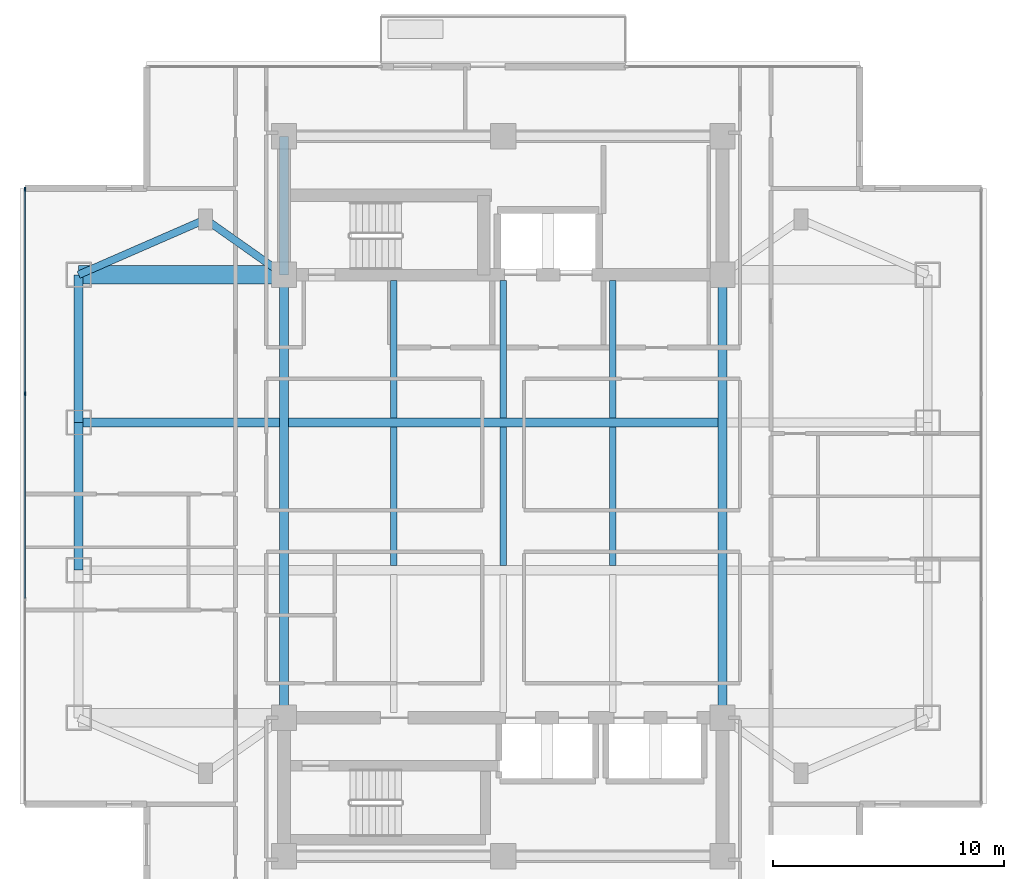
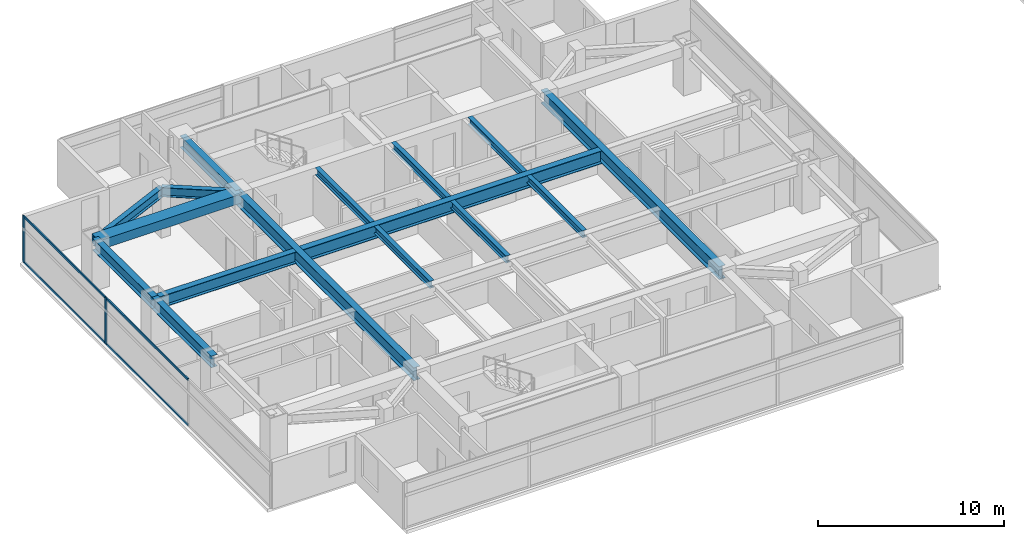
# One storey, part 3 of 26: 16 beams, 6 members, 1 element without a shape of its own.
"""IFC4 building model written with IfcOpenShell, lengths in metres."""

from ifc_helpers import new_model, si_unit, direction, frame, origin, origin_2d, place, context, subcontext, project, spatial, rectangle, i_section, extrude, material, material_profile, profile_set, type_object, element, aggregate, save


model = new_model("IFC4")

# Units and contexts
model_context = context("Model", 3, precision=1e-05, world=origin(), true_north=direction((0.0, 1.0)))
body_context = subcontext(model_context, "Body", "Model", "MODEL_VIEW")
ifc_project = project(units=[si_unit("LENGTHUNIT", "METRE"), si_unit("AREAUNIT", "SQUARE_METRE"), si_unit("VOLUMEUNIT", "CUBIC_METRE"), si_unit("PLANEANGLEUNIT", "RADIAN"), si_unit("MASSUNIT", "GRAM", prefix="KILO")], contexts=[model_context])

# Site, building, storey
site_placement = place(None, origin())
site = spatial("IfcSite", under=ifc_project, at=site_placement, CompositionType="ELEMENT")
building_placement = place(site_placement, origin())
building = spatial("IfcBuilding", under=site, at=building_placement, Name="Mirazonda Arch Towers", CompositionType="ELEMENT")
storey_placement = place(building_placement, frame((0.0, 0.0, 128.0)))
storey = spatial("IfcBuildingStorey", under=building, at=storey_placement, Name="L36", CompositionType="ELEMENT", Elevation=128.0)

# Beams
ifc_material_1 = material(Name="Steel ASTM A992 Grade 50", Category="steel")
ifc_material_profile_1 = material_profile(ifc_material_1, i_section(OverallWidth=0.381103515625, OverallDepth=0.77294921875, WebThickness=0.0166015625, FlangeThickness=0.027099609375, at=origin_2d()), Name="W30X173")
ifc_profile_set_1 = profile_set([ifc_material_profile_1], Name="Steel ASTM A992 Grade 50")
beam_type_1 = type_object("IfcBeamType", Name="BM-EXT-W30X173", PredefinedType="USERDEFINED", material=ifc_profile_set_1)
beam_1_placement = place(storey_placement, frame((2.10009765625, 24.800048828125, 2.693603515625), z_axis=(0.0, 1.0, 0.0), x_axis=(-1.0, 0.0, 0.0)))
element("IfcBeam", 1, at=beam_1_placement, inside=storey, type_object=beam_type_1, Name="L36 Floor Beam BM-T1-L36-NS-W-24", ObjectType="GIRDER", PredefinedType="USERDEFINED", context=body_context, shape_type="SweptSolid", body=[
    extrude(i_section(OverallWidth=0.381103515625, OverallDepth=0.77294921875, WebThickness=0.0166015625, FlangeThickness=0.027099609375, at=origin_2d()), origin(), (0.0, 0.0, 1.0), 6.39990234375),
])
beam_2_placement = place(storey_placement, frame((2.10009765625, 31.199951171875, 2.693603515625), z_axis=(0.0, 1.0, 0.0), x_axis=(-1.0, 0.0, 0.0)))
element("IfcBeam", 2, at=beam_2_placement, inside=storey, type_object=beam_type_1, Name="L36 Floor Beam BM-T1-L36-NS-W-31", ObjectType="GIRDER", PredefinedType="USERDEFINED", context=body_context, shape_type="SweptSolid", body=[
    extrude(i_section(OverallWidth=0.381103515625, OverallDepth=0.77294921875, WebThickness=0.0166015625, FlangeThickness=0.027099609375, at=origin_2d()), origin(), (0.0, 0.0, 1.0), 6.400146484375),
])
ifc_material_profile_2 = material_profile(ifc_material_1, i_section(OverallWidth=0.280029296875, OverallDepth=0.462890625, WebThickness=0.0107421875, FlangeThickness=0.017333984375, at=origin_2d()), Name="W18X76")
ifc_profile_set_2 = profile_set([ifc_material_profile_2], Name="Steel ASTM A992 Grade 50")
beam_type_2 = type_object("IfcBeamType", Name="BM-INT-W18X76", PredefinedType="JOIST", material=ifc_profile_set_2)
beam_3_placement = place(storey_placement, frame((15.75, 31.39599609375, 2.848388671875), z_axis=(0.0, 1.0, 0.0), x_axis=(-1.0, 0.0, 0.0)))
element("IfcBeam", 3, at=beam_3_placement, inside=storey, type_object=beam_type_2, Name="L36 Floor Beam BM-T1-L36-J-157-31", PredefinedType="JOIST", context=body_context, shape_type="SweptSolid", body=[
    extrude(i_section(OverallWidth=0.280029296875, OverallDepth=0.462890625, WebThickness=0.0107421875, FlangeThickness=0.017333984375, at=origin_2d()), origin(), (0.0, 0.0, 1.0), 5.964111328125),
])
beam_4_placement = place(storey_placement, frame((15.75, 24.99609375, 2.848388671875), z_axis=(0.0, 1.0, 0.0), x_axis=(-1.0, 0.0, 0.0)))
element("IfcBeam", 4, at=beam_4_placement, inside=storey, type_object=beam_type_2, Name="L36 Floor Beam BM-T1-L36-J-157-24", PredefinedType="JOIST", context=body_context, shape_type="SweptSolid", body=[
    extrude(i_section(OverallWidth=0.280029296875, OverallDepth=0.462890625, WebThickness=0.0107421875, FlangeThickness=0.017333984375, at=origin_2d()), origin(), (0.0, 0.0, 1.0), 6.0078125),
])
beam_5_placement = place(storey_placement, frame((20.5, 31.39599609375, 2.848388671875), z_axis=(0.0, 1.0, 0.0), x_axis=(-1.0, 0.0, 0.0)))
element("IfcBeam", 5, at=beam_5_placement, inside=storey, type_object=beam_type_2, Name="L36 Floor Beam BM-T1-L36-J-205-31", PredefinedType="JOIST", context=body_context, shape_type="SweptSolid", body=[
    extrude(i_section(OverallWidth=0.280029296875, OverallDepth=0.462890625, WebThickness=0.0107421875, FlangeThickness=0.017333984375, at=origin_2d()), origin(), (0.0, 0.0, 1.0), 5.964111328125),
])
beam_6_placement = place(storey_placement, frame((20.5, 24.99609375, 2.848388671875), z_axis=(0.0, 1.0, 0.0), x_axis=(-1.0, 0.0, 0.0)))
element("IfcBeam", 6, at=beam_6_placement, inside=storey, type_object=beam_type_2, Name="L36 Floor Beam BM-T1-L36-J-205-24", PredefinedType="JOIST", context=body_context, shape_type="SweptSolid", body=[
    extrude(i_section(OverallWidth=0.280029296875, OverallDepth=0.462890625, WebThickness=0.0107421875, FlangeThickness=0.017333984375, at=origin_2d()), origin(), (0.0, 0.0, 1.0), 6.0078125),
])
beam_7_placement = place(storey_placement, frame((25.25, 31.39599609375, 2.848388671875), z_axis=(0.0, 1.0, 0.0), x_axis=(-1.0, 0.0, 0.0)))
element("IfcBeam", 7, at=beam_7_placement, inside=storey, type_object=beam_type_2, Name="L36 Floor Beam BM-T1-L36-J-252-31", PredefinedType="JOIST", context=body_context, shape_type="SweptSolid", body=[
    extrude(i_section(OverallWidth=0.280029296875, OverallDepth=0.462890625, WebThickness=0.0107421875, FlangeThickness=0.017333984375, at=origin_2d()), origin(), (0.0, 0.0, 1.0), 5.964111328125),
])
beam_8_placement = place(storey_placement, frame((25.25, 24.99609375, 2.848388671875), z_axis=(0.0, 1.0, 0.0), x_axis=(-1.0, 0.0, 0.0)))
element("IfcBeam", 8, at=beam_8_placement, inside=storey, type_object=beam_type_2, Name="L36 Floor Beam BM-T1-L36-J-252-24", PredefinedType="JOIST", context=body_context, shape_type="SweptSolid", body=[
    extrude(i_section(OverallWidth=0.280029296875, OverallDepth=0.462890625, WebThickness=0.0107421875, FlangeThickness=0.017333984375, at=origin_2d()), origin(), (0.0, 0.0, 1.0), 6.0078125),
])
ifc_material_profile_3 = material_profile(ifc_material_1, i_section(OverallWidth=0.324951171875, OverallDepth=0.615966796875, WebThickness=0.013916015625, FlangeThickness=0.021484375, at=origin_2d()), Name="W24X117")
ifc_profile_set_3 = profile_set([ifc_material_profile_3], Name="Steel ASTM A992 Grade 50")
beam_type_3 = type_object("IfcBeamType", Name="BM-INT-W24X117", PredefinedType="BEAM", material=ifc_profile_set_3)
beam_9_placement = place(storey_placement, frame((7.60009765625, 40.0, 2.77197265625), z_axis=(0.816971114901, -0.576678591087, 0.0), x_axis=(0.576678591087, 0.816971114901, 0.0)))
element("IfcBeam", 9, at=beam_9_placement, inside=storey, type_object=beam_type_3, Name="L36 Floor Beam BM-T1-L36-PL-NW1", PredefinedType="BEAM", context=body_context, shape_type="SweptSolid", body=[
    extrude(i_section(OverallWidth=0.324951171875, OverallDepth=0.615966796875, WebThickness=0.013916015625, FlangeThickness=0.021484375, at=origin_2d()), origin(), (0.0, 0.0, 1.0), 4.16162109375),
])
beam_10_placement = place(storey_placement, frame((7.60009765625, 40.0, 2.77197265625), z_axis=(-0.916545343703, -0.399930785183, 0.0), x_axis=(0.399930785183, -0.916545343703, 0.0)))
element("IfcBeam", 10, at=beam_10_placement, inside=storey, type_object=beam_type_3, Name="L36 Floor Beam BM-T1-L36-PL-NW2", PredefinedType="BEAM", context=body_context, shape_type="SweptSolid", body=[
    extrude(i_section(OverallWidth=0.324951171875, OverallDepth=0.615966796875, WebThickness=0.013916015625, FlangeThickness=0.021484375, at=origin_2d()), origin(), (0.0, 0.0, 1.0), 6.000732421875),
])
ifc_material_profile_4 = material_profile(ifc_material_1, i_section(OverallWidth=0.381103515625, OverallDepth=0.77294921875, WebThickness=0.0166015625, FlangeThickness=0.027099609375, at=origin_2d()), Name="W30X173")
ifc_profile_set_4 = profile_set([ifc_material_profile_4], Name="Steel ASTM A992 Grade 50")
beam_type_4 = type_object("IfcBeamType", Name="BM-INT-W30X173", PredefinedType="USERDEFINED", material=ifc_profile_set_4)
beam_11_placement = place(storey_placement, frame((2.10009765625, 31.199951171875, 2.693603515625), z_axis=(1.0, 0.0, 0.0), x_axis=(0.0, 1.0, 0.0)))
element("IfcBeam", 11, at=beam_11_placement, inside=storey, type_object=beam_type_4, Name="L36 Floor Beam BM-T1-L36-GW3", ObjectType="GIRDER", PredefinedType="USERDEFINED", context=body_context, shape_type="SweptSolid", body=[
    extrude(i_section(OverallWidth=0.381103515625, OverallDepth=0.77294921875, WebThickness=0.0166015625, FlangeThickness=0.027099609375, at=origin_2d()), origin(), (0.0, 0.0, 1.0), 8.699951171875),
])
beam_12_placement = place(storey_placement, frame((11.0, 37.60009765625, 2.693603515625), z_axis=(0.0, 1.0, 0.0), x_axis=(-1.0, 0.0, 0.0)))
element("IfcBeam", 12, at=beam_12_placement, inside=storey, type_object=beam_type_4, Name="L36 Floor Beam BM-T1-L36-CNW", ObjectType="GIRDER", PredefinedType="USERDEFINED", context=body_context, shape_type="SweptSolid", body=[
    extrude(i_section(OverallWidth=0.381103515625, OverallDepth=0.77294921875, WebThickness=0.0166015625, FlangeThickness=0.027099609375, at=origin_2d()), origin(), (0.0, 0.0, 1.0), 6.0),
])
ifc_material_profile_5 = material_profile(ifc_material_1, i_section(OverallWidth=0.39990234375, OverallDepth=0.85595703125, WebThickness=0.018310546875, FlangeThickness=0.029296875, at=origin_2d()), Name="W33X201")
ifc_profile_set_5 = profile_set([ifc_material_profile_5], Name="Steel ASTM A992 Grade 50")
beam_type_5 = type_object("IfcBeamType", Name="BM-INT-W33X201", PredefinedType="USERDEFINED", material=ifc_profile_set_5)
beam_13_placement = place(storey_placement, frame((11.199951171875, 31.199951171875, 2.652099609375), z_axis=(1.0, 0.0, 0.0), x_axis=(0.0, 1.0, 0.0)))
element("IfcBeam", 13, at=beam_13_placement, inside=storey, type_object=beam_type_5, Name="L36 Floor Beam BM-T1-L36-GC3", ObjectType="GIRDER", PredefinedType="USERDEFINED", context=body_context, shape_type="SweptSolid", body=[
    extrude(i_section(OverallWidth=0.39990234375, OverallDepth=0.85595703125, WebThickness=0.018310546875, FlangeThickness=0.029296875, at=origin_2d()), origin(), (0.0, 0.0, 1.0), 18.60009765625),
])
for number, where, z_axis, x_axis, name in (
    (14, (11.0, 18.39990234375, 2.652099609375), (0.0, 1.0, 0.0), (-1.0, 0.0, 0.0), "L36 Floor Beam BM-T1-L36-NS-CW-FULL"),
    (15, (30.0, 18.39990234375, 2.652099609375), (0.0, 1.0, 0.0), (-1.0, 0.0, 0.0), "L36 Floor Beam BM-T1-L36-NS-CE-FULL"),
):
    element("IfcBeam", number, at=place(storey_placement, frame(where, z_axis=z_axis, x_axis=x_axis)), inside=storey, type_object=beam_type_5, Name=name, ObjectType="GIRDER", PredefinedType="USERDEFINED", context=body_context, shape_type="SweptSolid", body=[
        extrude(i_section(OverallWidth=0.39990234375, OverallDepth=0.85595703125, WebThickness=0.018310546875, FlangeThickness=0.029296875, at=origin_2d()), origin(), (0.0, 0.0, 1.0), 19.2001953125),
    ])
ifc_material_2 = material(Name="Concrete C60/75", Category="concrete")
ifc_material_profile_6 = material_profile(ifc_material_2, rectangle(XDim=0.800048828125, YDim=0.60009765625, at=origin_2d()), Name="RCCB800x600")
ifc_profile_set_6 = profile_set([ifc_material_profile_6], Name="Concrete C60/75")
beam_type_6 = type_object("IfcBeamType", Name="CB-INT-RCCB800x600", PredefinedType="SPANDREL", material=ifc_profile_set_6)
beam_14_placement = place(storey_placement, frame((2.10009765625, 37.60009765625, 2.780029296875), z_axis=(1.0, 0.0, 0.0), x_axis=(0.0, 1.0, 0.0)))
element("IfcBeam", 16, at=beam_14_placement, inside=storey, type_object=beam_type_6, Name="L36 Floor Beam CBC-T1-L36-NW", PredefinedType="SPANDREL", context=body_context, shape_type="SweptSolid", body=[
    extrude(rectangle(XDim=0.800048828125, YDim=0.60009765625, at=origin_2d()), origin(), (0.0, 0.0, 1.0), 8.89990234375),
])

# Curtain wall, members
ifc_material_3 = material(Name="Anodised Aluminium and Low-E Glass", Category="aluminium")
curtain_wall_type = type_object("IfcCurtainWallType", Name="CW-HTL-UNIT", PredefinedType="NOTDEFINED", material=ifc_material_3)
curtain_wall_placement = place(storey_placement, origin())
curtain_wall = element("IfcCurtainWall", 17, at=curtain_wall_placement, inside=storey, type_object=curtain_wall_type, Name="L36 T1 W Facade CW-L36-T1-W", PredefinedType="NOTDEFINED")
ifc_material_4 = material(Name="Anodised Aluminium Alloy", Category="aluminium")
ifc_material_profile_7 = material_profile(ifc_material_4, rectangle(XDim=0.074951171875, YDim=0.1650390625, at=origin_2d()), Name="ALU-MULL-75x165")
ifc_profile_set_7 = profile_set([ifc_material_profile_7], Name="Anodised Aluminium Alloy")
member_type_1 = type_object("IfcMemberType", Name="MULL-CW-HTL-UNIT", PredefinedType="MULLION", material=ifc_profile_set_7)
member_1_placement = place(storey_placement, frame((-0.219970703125, 41.306396484375, 0.0), z_axis=(0.0, 0.0, 1.0), x_axis=(1.0, 0.0, 0.0)))
member_1 = element("IfcMember", 18, at=member_1_placement, type_object=member_type_1, Name="CW-112 mullion 1", PredefinedType="MULLION", context=body_context, shape_type="SweptSolid", body=[
    extrude(rectangle(XDim=0.074951171875, YDim=0.1650390625, at=origin_2d()), origin(), (0.0, 0.0, 1.0), 3.06005859375),
])
member_2_placement = place(storey_placement, frame((-0.219970703125, 32.447998046875, 0.0), z_axis=(0.0, 0.0, 1.0), x_axis=(1.0, 0.0, 0.0)))
member_2 = element("IfcMember", 19, at=member_2_placement, type_object=member_type_1, Name="CW-112 mullion 2", PredefinedType="MULLION", context=body_context, shape_type="SweptSolid", body=[
    extrude(rectangle(XDim=0.074951171875, YDim=0.1650390625, at=origin_2d()), origin(), (0.0, 0.0, 1.0), 3.06005859375),
])
ifc_material_profile_8 = material_profile(ifc_material_4, rectangle(XDim=0.074951171875, YDim=0.14501953125, at=origin_2d()), Name="ALU-TRAN-75x145")
ifc_profile_set_8 = profile_set([ifc_material_profile_8], Name="Anodised Aluminium Alloy")
member_type_2 = type_object("IfcMemberType", Name="TRAN-CW-HTL-UNIT", PredefinedType="USERDEFINED", material=ifc_profile_set_8)
member_3_placement = place(storey_placement, frame((-0.219970703125, 41.26904296875, 0.03759765625), z_axis=(0.0, -1.0, 0.0), x_axis=(1.0, 0.0, 0.0)))
member_3 = element("IfcMember", 20, at=member_3_placement, type_object=member_type_2, Name="CW-112 transom 1.1", ObjectType="TRANSOM", PredefinedType="USERDEFINED", context=body_context, shape_type="SweptSolid", body=[
    extrude(rectangle(XDim=0.074951171875, YDim=0.14501953125, at=origin_2d()), origin(), (0.0, 0.0, 1.0), 8.783447265625),
])
member_4_placement = place(storey_placement, frame((-0.219970703125, 41.26904296875, 3.0224609375), z_axis=(0.0, -1.0, 0.0), x_axis=(1.0, 0.0, 0.0)))
member_4 = element("IfcMember", 21, at=member_4_placement, type_object=member_type_2, Name="CW-112 transom 1.2", ObjectType="TRANSOM", PredefinedType="USERDEFINED", context=body_context, shape_type="SweptSolid", body=[
    extrude(rectangle(XDim=0.074951171875, YDim=0.14501953125, at=origin_2d()), origin(), (0.0, 0.0, 1.0), 8.783447265625),
])
member_5_placement = place(storey_placement, frame((-0.219970703125, 32.410400390625, 0.03759765625), z_axis=(0.0, -1.0, 0.0), x_axis=(1.0, 0.0, 0.0)))
member_5 = element("IfcMember", 22, at=member_5_placement, type_object=member_type_2, Name="CW-112 transom 2.1", ObjectType="TRANSOM", PredefinedType="USERDEFINED", context=body_context, shape_type="SweptSolid", body=[
    extrude(rectangle(XDim=0.074951171875, YDim=0.14501953125, at=origin_2d()), origin(), (0.0, 0.0, 1.0), 8.82080078125),
])
member_6_placement = place(storey_placement, frame((-0.219970703125, 32.410400390625, 3.0224609375), z_axis=(0.0, -1.0, 0.0), x_axis=(1.0, 0.0, 0.0)))
member_6 = element("IfcMember", 23, at=member_6_placement, type_object=member_type_2, Name="CW-112 transom 2.2", ObjectType="TRANSOM", PredefinedType="USERDEFINED", context=body_context, shape_type="SweptSolid", body=[
    extrude(rectangle(XDim=0.074951171875, YDim=0.14501953125, at=origin_2d()), origin(), (0.0, 0.0, 1.0), 8.82080078125),
])
aggregate(curtain_wall, [member_1, member_2, member_3, member_4, member_5, member_6])

save(model, "model.ifc")
